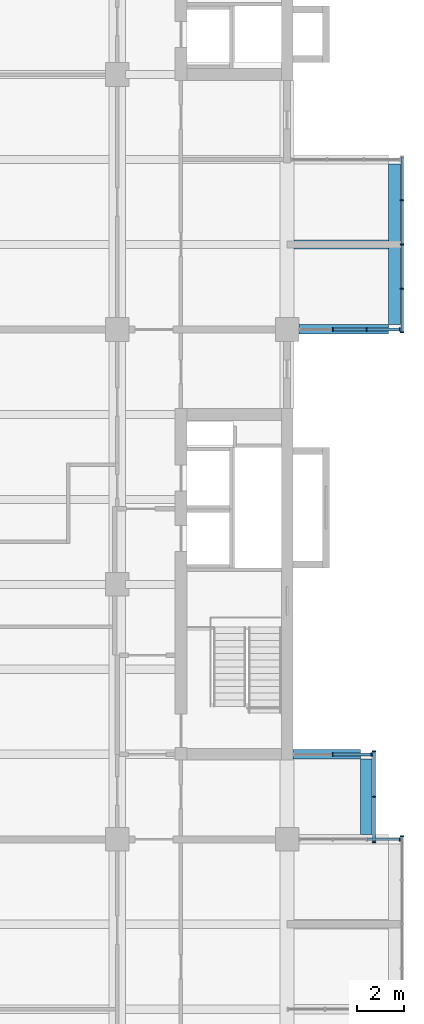
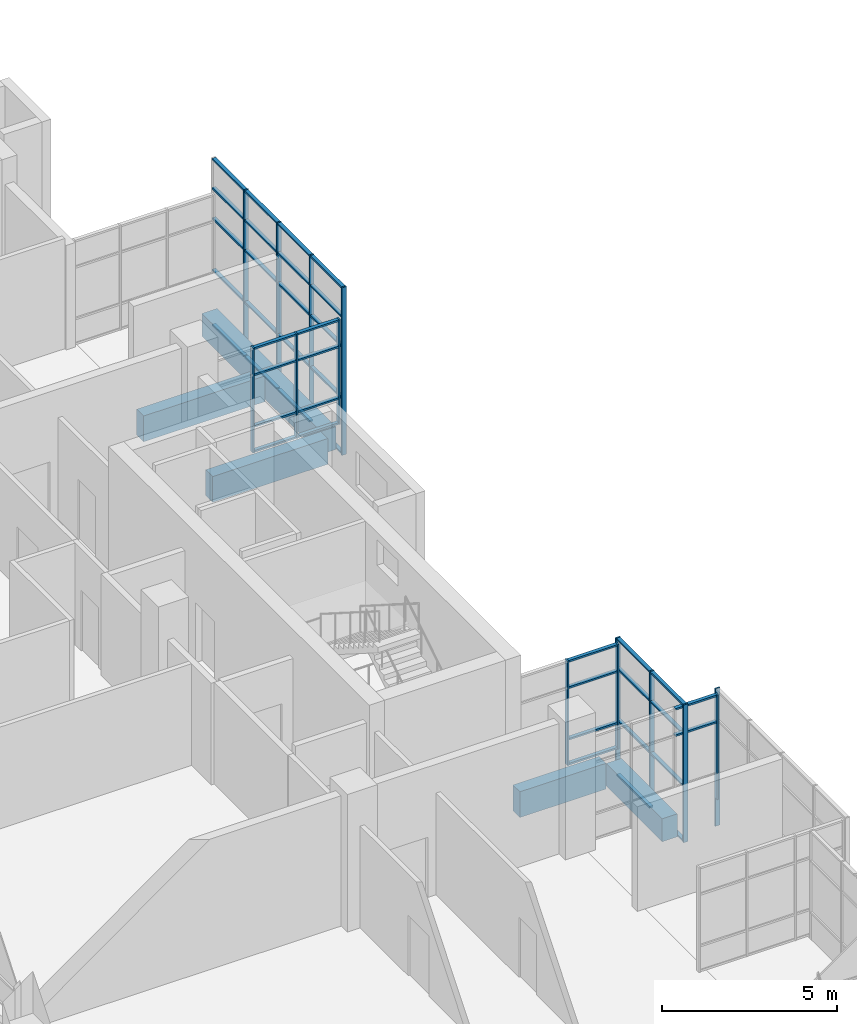
# One storey, part 17 of 35: 56 members, 6 beams, 6 elements without a shape of their own.
"""IFC4 building model written with IfcOpenShell, lengths in metres."""

from ifc_helpers import new_model, si_unit, direction, frame, origin, origin_2d, place, context, subcontext, project, spatial, rectangle, extrude, material, layer, layer_set, material_profile, profile_set, type_object, element, aggregate, save


model = new_model("IFC4")

# Units and contexts
model_context = context("Model", 3, precision=1e-05, world=origin(), true_north=direction((0.0, 1.0)))
body_context = subcontext(model_context, "Body", "Model", "MODEL_VIEW")
ifc_project = project(units=[si_unit("LENGTHUNIT", "METRE"), si_unit("AREAUNIT", "SQUARE_METRE"), si_unit("VOLUMEUNIT", "CUBIC_METRE"), si_unit("PLANEANGLEUNIT", "RADIAN"), si_unit("MASSUNIT", "GRAM", prefix="KILO")], contexts=[model_context])

# Site, building, storey
site_placement = place(None, origin())
site = spatial("IfcSite", under=ifc_project, at=site_placement, CompositionType="ELEMENT")
building_placement = place(site_placement, origin())
building = spatial("IfcBuilding", under=site, at=building_placement, Name="Basin Gate Institute", CompositionType="ELEMENT")
storey_placement = place(building_placement, frame((0.0, 0.0, 31.800048828125)))
storey = spatial("IfcBuildingStorey", under=building, at=storey_placement, Name="L06", CompositionType="ELEMENT", Elevation=31.800048828125)

# Beams
ifc_material_1 = material(Name="Concrete 50 MPa", Category="concrete")
ifc_material_profile_1 = material_profile(ifc_material_1, rectangle(XDim=0.39990234375, YDim=0.89990234375, at=origin_2d()), Name="Cantilever beam B3 400 x 900")
ifc_profile_set_1 = profile_set([ifc_material_profile_1], Name="Concrete 50 MPa")
beam_type_1 = type_object("IfcBeamType", Name="Cantilever beam B3 R120", PredefinedType="BEAM", material=ifc_profile_set_1)
beam_1_placement = place(storey_placement, frame((121.89990234375, 60.300048828125, -0.699951171875), z_axis=(-1.0, 0.0, 0.0), x_axis=(0.0, -1.0, 0.0)))
element("IfcBeam", 1, at=beam_1_placement, inside=storey, type_object=beam_type_1, material=ifc_profile_set_1, Name="BEAM/L06/E/CANT/08", PredefinedType="BEAM", context=body_context, shape_type="SweptSolid", body=[
    extrude(rectangle(XDim=0.39990234375, YDim=0.89990234375, at=origin_2d()), origin(), (0.0, 0.0, 1.0), 2.849853515625),
])
beam_2_placement = place(storey_placement, frame((123.10009765625, 78.300048828125, -0.699951171875), z_axis=(-1.0, 0.0, 0.0), x_axis=(0.0, -1.0, 0.0)))
element("IfcBeam", 2, at=beam_2_placement, inside=storey, type_object=beam_type_1, material=ifc_profile_set_1, Name="BEAM/L06/E/CANT/13", PredefinedType="BEAM", context=body_context, shape_type="SweptSolid", body=[
    extrude(rectangle(XDim=0.39990234375, YDim=0.89990234375, at=origin_2d()), origin(), (0.0, 0.0, 1.0), 3.800048828125),
])
beam_3_placement = place(storey_placement, frame((123.10009765625, 81.89990234375, -0.699951171875), z_axis=(-1.0, 0.0, 0.0), x_axis=(0.0, -1.0, 0.0)))
element("IfcBeam", 3, at=beam_3_placement, inside=storey, type_object=beam_type_1, material=ifc_profile_set_1, Name="BEAM/L06/E/CANT/14", PredefinedType="BEAM", context=body_context, shape_type="SweptSolid", body=[
    extrude(rectangle(XDim=0.39990234375, YDim=0.89990234375, at=origin_2d()), origin(), (0.0, 0.0, 1.0), 4.0),
])

# Curtain wall, member
ifc_material_2 = material(Name="Aluminium-framed glazing", Category="aluminium")
ifc_layer = layer(ifc_material_2, 0.14990234375)
ifc_layer_set = layer_set([ifc_layer], Name="Capsule front curtain wall CW1")
curtain_wall_type = type_object("IfcCurtainWallType", Name="Capsule front curtain wall CW1", PredefinedType="NOTDEFINED", material=ifc_layer_set)
curtain_wall_1_placement = place(storey_placement, origin())
curtain_wall_1 = element("IfcCurtainWall", 4, at=curtain_wall_1_placement, inside=storey, type_object=curtain_wall_type, material=ifc_layer_set, Name="Capsule front curtain wall E wing capsule end L06 line 7", PredefinedType="NOTDEFINED")
ifc_material_3 = material(Name="Aluminium", Category="aluminium")
ifc_material_profile_2 = material_profile(ifc_material_3, rectangle(XDim=0.14990234375, YDim=0.050048828125, at=origin_2d()), Name="Mullion MU1 150 x 50")
ifc_profile_set_2 = profile_set([ifc_material_profile_2], Name="Aluminium")
member_type_1 = type_object("IfcMemberType", Name="Mullion MU1", PredefinedType="MULLION", material=ifc_profile_set_2)
member_1_placement = place(storey_placement, frame((123.574951171875, 56.699951171875, 0.0), z_axis=(0.0, 0.0, 1.0), x_axis=(0.0, -1.0, 0.0)))
member_1 = element("IfcMember", 5, at=member_1_placement, type_object=member_type_1, material=ifc_profile_set_2, Name="CW1 mullion 1", PredefinedType="MULLION", context=body_context, shape_type="SweptSolid", body=[
    extrude(rectangle(XDim=0.14990234375, YDim=0.050048828125, at=origin_2d()), origin(), (0.0, 0.0, 1.0), 3.64990234375),
])

# Curtain wall, members
curtain_wall_2_placement = place(storey_placement, origin())
curtain_wall_2 = element("IfcCurtainWall", 6, at=curtain_wall_2_placement, inside=storey, type_object=curtain_wall_type, material=ifc_layer_set, Name="Capsule front curtain wall E wing capsule end L06 line 8", PredefinedType="NOTDEFINED")
member_2_placement = place(storey_placement, frame((122.375, 60.300048828125, 0.0), z_axis=(0.0, 0.0, 1.0), x_axis=(0.0, -1.0, 0.0)))
member_2 = element("IfcMember", 7, at=member_2_placement, type_object=member_type_1, material=ifc_profile_set_2, Name="CW1 mullion 1", PredefinedType="MULLION", context=body_context, shape_type="SweptSolid", body=[
    extrude(rectangle(XDim=0.14990234375, YDim=0.050048828125, at=origin_2d()), origin(), (0.0, 0.0, 1.0), 3.64990234375),
])
member_3_placement = place(storey_placement, frame((120.72509765625, 60.300048828125, 0.0), z_axis=(0.0, 0.0, 1.0), x_axis=(0.0, -1.0, 0.0)))
member_3 = element("IfcMember", 8, at=member_3_placement, type_object=member_type_1, material=ifc_profile_set_2, Name="CW1 mullion 2", PredefinedType="MULLION", context=body_context, shape_type="SweptSolid", body=[
    extrude(rectangle(XDim=0.14990234375, YDim=0.050048828125, at=origin_2d()), origin(), (0.0, 0.0, 1.0), 3.64990234375),
])

curtain_wall_3_placement = place(storey_placement, origin())
curtain_wall_3 = element("IfcCurtainWall", 9, at=curtain_wall_3_placement, inside=storey, type_object=curtain_wall_type, material=ifc_layer_set, Name="Capsule front curtain wall E wing capsule end L06 line 13", PredefinedType="NOTDEFINED")
member_4_placement = place(storey_placement, frame((123.574951171875, 78.300048828125, 0.0), z_axis=(0.0, 0.0, 1.0), x_axis=(0.0, -1.0, 0.0)))
member_4 = element("IfcMember", 10, at=member_4_placement, type_object=member_type_1, material=ifc_profile_set_2, Name="CW1 mullion 1", PredefinedType="MULLION", context=body_context, shape_type="SweptSolid", body=[
    extrude(rectangle(XDim=0.14990234375, YDim=0.050048828125, at=origin_2d()), origin(), (0.0, 0.0, 1.0), 3.64990234375),
])
member_5_placement = place(storey_placement, frame((122.166748046875, 78.300048828125, 0.0), z_axis=(0.0, 0.0, 1.0), x_axis=(0.0, -1.0, 0.0)))
member_5 = element("IfcMember", 11, at=member_5_placement, type_object=member_type_1, material=ifc_profile_set_2, Name="CW1 mullion 2", PredefinedType="MULLION", context=body_context, shape_type="SweptSolid", body=[
    extrude(rectangle(XDim=0.14990234375, YDim=0.050048828125, at=origin_2d()), origin(), (0.0, 0.0, 1.0), 3.64990234375),
])
member_6_placement = place(storey_placement, frame((120.7333984375, 78.300048828125, 0.0), z_axis=(0.0, 0.0, 1.0), x_axis=(0.0, -1.0, 0.0)))
member_6 = element("IfcMember", 12, at=member_6_placement, type_object=member_type_1, material=ifc_profile_set_2, Name="CW1 mullion 3", PredefinedType="MULLION", context=body_context, shape_type="SweptSolid", body=[
    extrude(rectangle(XDim=0.14990234375, YDim=0.050048828125, at=origin_2d()), origin(), (0.0, 0.0, 1.0), 3.64990234375),
])

# Curtain wall, member
curtain_wall_4_placement = place(storey_placement, origin())
curtain_wall_4 = element("IfcCurtainWall", 13, at=curtain_wall_4_placement, inside=storey, type_object=curtain_wall_type, material=ifc_layer_set, Name="Capsule front curtain wall E wing capsule 1 L06 front 2", PredefinedType="NOTDEFINED")
member_7_placement = place(storey_placement, frame((123.675048828125, 56.824951171875, -1.050048828125), z_axis=(0.0, 0.0, 1.0), x_axis=(-1.0, 0.0, 0.0)))
member_7 = element("IfcMember", 14, at=member_7_placement, type_object=member_type_1, material=ifc_profile_set_2, Name="CW1 mullion 5", PredefinedType="MULLION", context=body_context, shape_type="SweptSolid", body=[
    extrude(rectangle(XDim=0.14990234375, YDim=0.050048828125, at=origin_2d()), origin(), (0.0, 0.0, 1.0), 4.800048828125),
])
aggregate(curtain_wall_4, [member_7])

# Curtain wall, members
curtain_wall_5_placement = place(storey_placement, origin())
curtain_wall_5 = element("IfcCurtainWall", 15, at=curtain_wall_5_placement, inside=storey, type_object=curtain_wall_type, material=ifc_layer_set, Name="Capsule front curtain wall E wing capsule 1 L06 front 4", PredefinedType="NOTDEFINED")
member_8_placement = place(storey_placement, frame((122.47509765625, 56.574951171875, -1.050048828125), z_axis=(0.0, 0.0, 1.0), x_axis=(-1.0, 0.0, 0.0)))
member_8 = element("IfcMember", 16, at=member_8_placement, type_object=member_type_1, material=ifc_profile_set_2, Name="CW1 mullion 1", PredefinedType="MULLION", context=body_context, shape_type="SweptSolid", body=[
    extrude(rectangle(XDim=0.14990234375, YDim=0.050048828125, at=origin_2d()), origin(), (0.0, 0.0, 1.0), 4.800048828125),
])
member_9_placement = place(storey_placement, frame((122.47509765625, 58.5, -1.050048828125), z_axis=(0.0, 0.0, 1.0), x_axis=(-1.0, 0.0, 0.0)))
member_9 = element("IfcMember", 17, at=member_9_placement, type_object=member_type_1, material=ifc_profile_set_2, Name="CW1 mullion 2", PredefinedType="MULLION", context=body_context, shape_type="SweptSolid", body=[
    extrude(rectangle(XDim=0.14990234375, YDim=0.050048828125, at=origin_2d()), origin(), (0.0, 0.0, 1.0), 4.800048828125),
])
member_10_placement = place(storey_placement, frame((122.47509765625, 60.425048828125, -1.050048828125), z_axis=(0.0, 0.0, 1.0), x_axis=(-1.0, 0.0, 0.0)))
member_10 = element("IfcMember", 18, at=member_10_placement, type_object=member_type_1, material=ifc_profile_set_2, Name="CW1 mullion 3", PredefinedType="MULLION", context=body_context, shape_type="SweptSolid", body=[
    extrude(rectangle(XDim=0.14990234375, YDim=0.050048828125, at=origin_2d()), origin(), (0.0, 0.0, 1.0), 4.800048828125),
])

curtain_wall_6_placement = place(storey_placement, origin())
curtain_wall_6 = element("IfcCurtainWall", 19, at=curtain_wall_6_placement, inside=storey, type_object=curtain_wall_type, material=ifc_layer_set, Name="Capsule front curtain wall E wing capsule 2 L06 front 2", PredefinedType="NOTDEFINED")
member_11_placement = place(storey_placement, frame((123.675048828125, 78.175048828125, -1.050048828125), z_axis=(0.0, 0.0, 1.0), x_axis=(-1.0, 0.0, 0.0)))
member_11 = element("IfcMember", 20, at=member_11_placement, type_object=member_type_1, material=ifc_profile_set_2, Name="CW1 mullion 1", PredefinedType="MULLION", context=body_context, shape_type="SweptSolid", body=[
    extrude(rectangle(XDim=0.14990234375, YDim=0.050048828125, at=origin_2d()), origin(), (0.0, 0.0, 1.0), 5.85009765625),
])
member_12_placement = place(storey_placement, frame((123.675048828125, 80.02490234375, -1.050048828125), z_axis=(0.0, 0.0, 1.0), x_axis=(-1.0, 0.0, 0.0)))
member_12 = element("IfcMember", 21, at=member_12_placement, type_object=member_type_1, material=ifc_profile_set_2, Name="CW1 mullion 2", PredefinedType="MULLION", context=body_context, shape_type="SweptSolid", body=[
    extrude(rectangle(XDim=0.14990234375, YDim=0.050048828125, at=origin_2d()), origin(), (0.0, 0.0, 1.0), 5.85009765625),
])
member_13_placement = place(storey_placement, frame((123.675048828125, 81.89990234375, -1.050048828125), z_axis=(0.0, 0.0, 1.0), x_axis=(-1.0, 0.0, 0.0)))
member_13 = element("IfcMember", 22, at=member_13_placement, type_object=member_type_1, material=ifc_profile_set_2, Name="CW1 mullion 3", PredefinedType="MULLION", context=body_context, shape_type="SweptSolid", body=[
    extrude(rectangle(XDim=0.14990234375, YDim=0.050048828125, at=origin_2d()), origin(), (0.0, 0.0, 1.0), 5.85009765625),
])
member_14_placement = place(storey_placement, frame((123.675048828125, 83.77490234375, -1.050048828125), z_axis=(0.0, 0.0, 1.0), x_axis=(-1.0, 0.0, 0.0)))
member_14 = element("IfcMember", 23, at=member_14_placement, type_object=member_type_1, material=ifc_profile_set_2, Name="CW1 mullion 4", PredefinedType="MULLION", context=body_context, shape_type="SweptSolid", body=[
    extrude(rectangle(XDim=0.14990234375, YDim=0.050048828125, at=origin_2d()), origin(), (0.0, 0.0, 1.0), 5.85009765625),
])

# Beams
ifc_material_4 = material(Name="Concrete 50 MPa", Category="concrete")
ifc_material_profile_3 = material_profile(ifc_material_4, rectangle(XDim=0.5, YDim=0.800048828125, at=origin_2d()), Name="Tip beam TB1 500 x 800")
ifc_profile_set_3 = profile_set([ifc_material_profile_3], Name="Concrete 50 MPa")
beam_type_2 = type_object("IfcBeamType", Name="Tip beam TB1 R120", PredefinedType="SPANDREL", material=ifc_profile_set_3)
beam_4_placement = place(storey_placement, frame((122.14990234375, 56.89990234375, -0.650146484375), z_axis=(0.0, 1.0, 0.0), x_axis=(-1.0, 0.0, 0.0)))
element("IfcBeam", 24, at=beam_4_placement, inside=storey, type_object=beam_type_2, material=ifc_profile_set_3, Name="BEAM/L06/E/TIP/4", PredefinedType="SPANDREL", context=body_context, shape_type="SweptSolid", body=[
    extrude(rectangle(XDim=0.5, YDim=0.800048828125, at=origin_2d()), origin(), (0.0, 0.0, 1.0), 3.2001953125),
])
beam_5_placement = place(storey_placement, frame((123.35009765625, 78.5, -0.650146484375), z_axis=(0.0, 1.0, 0.0), x_axis=(-1.0, 0.0, 0.0)))
element("IfcBeam", 25, at=beam_5_placement, inside=storey, type_object=beam_type_2, material=ifc_profile_set_3, Name="BEAM/L06/E/TIP/6", PredefinedType="SPANDREL", context=body_context, shape_type="SweptSolid", body=[
    extrude(rectangle(XDim=0.5, YDim=0.800048828125, at=origin_2d()), origin(), (0.0, 0.0, 1.0), 3.39990234375),
])
beam_6_placement = place(storey_placement, frame((123.35009765625, 81.89990234375, -0.650146484375), z_axis=(0.0, 1.0, 0.0), x_axis=(-1.0, 0.0, 0.0)))
element("IfcBeam", 26, at=beam_6_placement, inside=storey, type_object=beam_type_2, material=ifc_profile_set_3, Name="BEAM/L06/E/TIP/7", PredefinedType="SPANDREL", context=body_context, shape_type="SweptSolid", body=[
    extrude(rectangle(XDim=0.5, YDim=0.800048828125, at=origin_2d()), origin(), (0.0, 0.0, 1.0), 3.400146484375),
])

# Member
ifc_material_5 = material(Name="Aluminium", Category="aluminium")
ifc_material_profile_4 = material_profile(ifc_material_5, rectangle(XDim=0.1201171875, YDim=0.06005859375, at=origin_2d()), Name="Transom TR1 120 x 60")
ifc_profile_set_4 = profile_set([ifc_material_profile_4], Name="Aluminium")
member_type_2 = type_object("IfcMemberType", Name="Transom TR1", PredefinedType="USERDEFINED", material=ifc_profile_set_4)
member_15_placement = place(storey_placement, frame((123.550048828125, 56.699951171875, 2.699951171875), z_axis=(-1.0, 0.0, 0.0), x_axis=(0.0, -1.0, 0.0)))
member_15 = element("IfcMember", 27, at=member_15_placement, type_object=member_type_2, material=ifc_profile_set_4, Name="CW1 transom 1.3", ObjectType="TRANSOM", PredefinedType="USERDEFINED", context=body_context, shape_type="SweptSolid", body=[
    extrude(rectangle(XDim=0.1201171875, YDim=0.06005859375, at=origin_2d()), origin(), (0.0, 0.0, 1.0), 1.3583984375),
])

member_16_placement = place(storey_placement, frame((123.550048828125, 56.699951171875, 3.619873046875), z_axis=(-1.0, 0.0, 0.0), x_axis=(0.0, -1.0, 0.0)))
member_16 = element("IfcMember", 28, at=member_16_placement, type_object=member_type_2, material=ifc_profile_set_4, Name="CW1 transom 1.4", ObjectType="TRANSOM", PredefinedType="USERDEFINED", context=body_context, shape_type="SweptSolid", body=[
    extrude(rectangle(XDim=0.1201171875, YDim=0.06005859375, at=origin_2d()), origin(), (0.0, 0.0, 1.0), 1.3583984375),
])

aggregate(curtain_wall_1, [member_1, member_15, member_16])

member_17_placement = place(storey_placement, frame((122.35009765625, 60.300048828125, 0.030029296875), z_axis=(-1.0, 0.0, 0.0), x_axis=(0.0, -1.0, 0.0)))
member_17 = element("IfcMember", 29, at=member_17_placement, type_object=member_type_2, material=ifc_profile_set_4, Name="CW1 transom 1.1", ObjectType="TRANSOM", PredefinedType="USERDEFINED", context=body_context, shape_type="SweptSolid", body=[
    extrude(rectangle(XDim=0.1201171875, YDim=0.06005859375, at=origin_2d()), origin(), (0.0, 0.0, 1.0), 1.60009765625),
])

member_18_placement = place(storey_placement, frame((122.35009765625, 60.300048828125, 0.89990234375), z_axis=(-1.0, 0.0, 0.0), x_axis=(0.0, -1.0, 0.0)))
member_18 = element("IfcMember", 30, at=member_18_placement, type_object=member_type_2, material=ifc_profile_set_4, Name="CW1 transom 1.2", ObjectType="TRANSOM", PredefinedType="USERDEFINED", context=body_context, shape_type="SweptSolid", body=[
    extrude(rectangle(XDim=0.1201171875, YDim=0.06005859375, at=origin_2d()), origin(), (0.0, 0.0, 1.0), 1.60009765625),
])

member_19_placement = place(storey_placement, frame((122.35009765625, 60.300048828125, 2.699951171875), z_axis=(-1.0, 0.0, 0.0), x_axis=(0.0, -1.0, 0.0)))
member_19 = element("IfcMember", 31, at=member_19_placement, type_object=member_type_2, material=ifc_profile_set_4, Name="CW1 transom 1.3", ObjectType="TRANSOM", PredefinedType="USERDEFINED", context=body_context, shape_type="SweptSolid", body=[
    extrude(rectangle(XDim=0.1201171875, YDim=0.06005859375, at=origin_2d()), origin(), (0.0, 0.0, 1.0), 1.60009765625),
])

member_20_placement = place(storey_placement, frame((122.35009765625, 60.300048828125, 3.619873046875), z_axis=(-1.0, 0.0, 0.0), x_axis=(0.0, -1.0, 0.0)))
member_20 = element("IfcMember", 32, at=member_20_placement, type_object=member_type_2, material=ifc_profile_set_4, Name="CW1 transom 1.4", ObjectType="TRANSOM", PredefinedType="USERDEFINED", context=body_context, shape_type="SweptSolid", body=[
    extrude(rectangle(XDim=0.1201171875, YDim=0.06005859375, at=origin_2d()), origin(), (0.0, 0.0, 1.0), 1.60009765625),
])

aggregate(curtain_wall_2, [member_2, member_3, member_17, member_18, member_19, member_20])

member_21_placement = place(storey_placement, frame((123.550048828125, 78.300048828125, 0.030029296875), z_axis=(-1.0, 0.0, 0.0), x_axis=(0.0, -1.0, 0.0)))
member_21 = element("IfcMember", 33, at=member_21_placement, type_object=member_type_2, material=ifc_profile_set_4, Name="CW1 transom 1.1", ObjectType="TRANSOM", PredefinedType="USERDEFINED", context=body_context, shape_type="SweptSolid", body=[
    extrude(rectangle(XDim=0.1201171875, YDim=0.06005859375, at=origin_2d()), origin(), (0.0, 0.0, 1.0), 1.3583984375),
])

member_22_placement = place(storey_placement, frame((123.550048828125, 78.300048828125, 0.89990234375), z_axis=(-1.0, 0.0, 0.0), x_axis=(0.0, -1.0, 0.0)))
member_22 = element("IfcMember", 34, at=member_22_placement, type_object=member_type_2, material=ifc_profile_set_4, Name="CW1 transom 1.2", ObjectType="TRANSOM", PredefinedType="USERDEFINED", context=body_context, shape_type="SweptSolid", body=[
    extrude(rectangle(XDim=0.1201171875, YDim=0.06005859375, at=origin_2d()), origin(), (0.0, 0.0, 1.0), 1.3583984375),
])

member_23_placement = place(storey_placement, frame((123.550048828125, 78.300048828125, 2.699951171875), z_axis=(-1.0, 0.0, 0.0), x_axis=(0.0, -1.0, 0.0)))
member_23 = element("IfcMember", 35, at=member_23_placement, type_object=member_type_2, material=ifc_profile_set_4, Name="CW1 transom 1.3", ObjectType="TRANSOM", PredefinedType="USERDEFINED", context=body_context, shape_type="SweptSolid", body=[
    extrude(rectangle(XDim=0.1201171875, YDim=0.06005859375, at=origin_2d()), origin(), (0.0, 0.0, 1.0), 1.3583984375),
])

member_24_placement = place(storey_placement, frame((123.550048828125, 78.300048828125, 3.619873046875), z_axis=(-1.0, 0.0, 0.0), x_axis=(0.0, -1.0, 0.0)))
member_24 = element("IfcMember", 36, at=member_24_placement, type_object=member_type_2, material=ifc_profile_set_4, Name="CW1 transom 1.4", ObjectType="TRANSOM", PredefinedType="USERDEFINED", context=body_context, shape_type="SweptSolid", body=[
    extrude(rectangle(XDim=0.1201171875, YDim=0.06005859375, at=origin_2d()), origin(), (0.0, 0.0, 1.0), 1.3583984375),
])

member_25_placement = place(storey_placement, frame((122.1416015625, 78.300048828125, 0.030029296875), z_axis=(-1.0, 0.0, 0.0), x_axis=(0.0, -1.0, 0.0)))
member_25 = element("IfcMember", 37, at=member_25_placement, type_object=member_type_2, material=ifc_profile_set_4, Name="CW1 transom 2.1", ObjectType="TRANSOM", PredefinedType="USERDEFINED", context=body_context, shape_type="SweptSolid", body=[
    extrude(rectangle(XDim=0.1201171875, YDim=0.06005859375, at=origin_2d()), origin(), (0.0, 0.0, 1.0), 1.38330078125),
])

member_26_placement = place(storey_placement, frame((122.1416015625, 78.300048828125, 0.89990234375), z_axis=(-1.0, 0.0, 0.0), x_axis=(0.0, -1.0, 0.0)))
member_26 = element("IfcMember", 38, at=member_26_placement, type_object=member_type_2, material=ifc_profile_set_4, Name="CW1 transom 2.2", ObjectType="TRANSOM", PredefinedType="USERDEFINED", context=body_context, shape_type="SweptSolid", body=[
    extrude(rectangle(XDim=0.1201171875, YDim=0.06005859375, at=origin_2d()), origin(), (0.0, 0.0, 1.0), 1.38330078125),
])

member_27_placement = place(storey_placement, frame((122.1416015625, 78.300048828125, 2.699951171875), z_axis=(-1.0, 0.0, 0.0), x_axis=(0.0, -1.0, 0.0)))
member_27 = element("IfcMember", 39, at=member_27_placement, type_object=member_type_2, material=ifc_profile_set_4, Name="CW1 transom 2.3", ObjectType="TRANSOM", PredefinedType="USERDEFINED", context=body_context, shape_type="SweptSolid", body=[
    extrude(rectangle(XDim=0.1201171875, YDim=0.06005859375, at=origin_2d()), origin(), (0.0, 0.0, 1.0), 1.38330078125),
])

member_28_placement = place(storey_placement, frame((122.1416015625, 78.300048828125, 3.619873046875), z_axis=(-1.0, 0.0, 0.0), x_axis=(0.0, -1.0, 0.0)))
member_28 = element("IfcMember", 40, at=member_28_placement, type_object=member_type_2, material=ifc_profile_set_4, Name="CW1 transom 2.4", ObjectType="TRANSOM", PredefinedType="USERDEFINED", context=body_context, shape_type="SweptSolid", body=[
    extrude(rectangle(XDim=0.1201171875, YDim=0.06005859375, at=origin_2d()), origin(), (0.0, 0.0, 1.0), 1.38330078125),
])

aggregate(curtain_wall_3, [member_4, member_5, member_6, member_21, member_22, member_23, member_24, member_25, member_26, member_27, member_28])

member_29_placement = place(storey_placement, frame((122.47509765625, 56.60009765625, -1.02001953125), z_axis=(0.0, 1.0, 0.0), x_axis=(-1.0, 0.0, 0.0)))
member_29 = element("IfcMember", 41, at=member_29_placement, type_object=member_type_2, material=ifc_profile_set_4, Name="CW1 transom 1.1", ObjectType="TRANSOM", PredefinedType="USERDEFINED", context=body_context, shape_type="SweptSolid", body=[
    extrude(rectangle(XDim=0.1201171875, YDim=0.06005859375, at=origin_2d()), origin(), (0.0, 0.0, 1.0), 1.875),
])

member_30_placement = place(storey_placement, frame((122.47509765625, 56.60009765625, 0.89990234375), z_axis=(0.0, 1.0, 0.0), x_axis=(-1.0, 0.0, 0.0)))
member_30 = element("IfcMember", 42, at=member_30_placement, type_object=member_type_2, material=ifc_profile_set_4, Name="CW1 transom 1.2", ObjectType="TRANSOM", PredefinedType="USERDEFINED", context=body_context, shape_type="SweptSolid", body=[
    extrude(rectangle(XDim=0.1201171875, YDim=0.06005859375, at=origin_2d()), origin(), (0.0, 0.0, 1.0), 1.875),
])

member_31_placement = place(storey_placement, frame((122.47509765625, 56.60009765625, 2.699951171875), z_axis=(0.0, 1.0, 0.0), x_axis=(-1.0, 0.0, 0.0)))
member_31 = element("IfcMember", 43, at=member_31_placement, type_object=member_type_2, material=ifc_profile_set_4, Name="CW1 transom 1.3", ObjectType="TRANSOM", PredefinedType="USERDEFINED", context=body_context, shape_type="SweptSolid", body=[
    extrude(rectangle(XDim=0.1201171875, YDim=0.06005859375, at=origin_2d()), origin(), (0.0, 0.0, 1.0), 1.875),
])

member_32_placement = place(storey_placement, frame((122.47509765625, 56.60009765625, 3.719970703125), z_axis=(0.0, 1.0, 0.0), x_axis=(-1.0, 0.0, 0.0)))
member_32 = element("IfcMember", 44, at=member_32_placement, type_object=member_type_2, material=ifc_profile_set_4, Name="CW1 transom 1.4", ObjectType="TRANSOM", PredefinedType="USERDEFINED", context=body_context, shape_type="SweptSolid", body=[
    extrude(rectangle(XDim=0.1201171875, YDim=0.06005859375, at=origin_2d()), origin(), (0.0, 0.0, 1.0), 1.875),
])

member_33_placement = place(storey_placement, frame((122.47509765625, 58.52490234375, -1.02001953125), z_axis=(0.0, 1.0, 0.0), x_axis=(-1.0, 0.0, 0.0)))
member_33 = element("IfcMember", 45, at=member_33_placement, type_object=member_type_2, material=ifc_profile_set_4, Name="CW1 transom 2.1", ObjectType="TRANSOM", PredefinedType="USERDEFINED", context=body_context, shape_type="SweptSolid", body=[
    extrude(rectangle(XDim=0.1201171875, YDim=0.06005859375, at=origin_2d()), origin(), (0.0, 0.0, 1.0), 1.875),
])

member_34_placement = place(storey_placement, frame((122.47509765625, 58.52490234375, 0.89990234375), z_axis=(0.0, 1.0, 0.0), x_axis=(-1.0, 0.0, 0.0)))
member_34 = element("IfcMember", 46, at=member_34_placement, type_object=member_type_2, material=ifc_profile_set_4, Name="CW1 transom 2.2", ObjectType="TRANSOM", PredefinedType="USERDEFINED", context=body_context, shape_type="SweptSolid", body=[
    extrude(rectangle(XDim=0.1201171875, YDim=0.06005859375, at=origin_2d()), origin(), (0.0, 0.0, 1.0), 1.875),
])

member_35_placement = place(storey_placement, frame((122.47509765625, 58.52490234375, 2.699951171875), z_axis=(0.0, 1.0, 0.0), x_axis=(-1.0, 0.0, 0.0)))
member_35 = element("IfcMember", 47, at=member_35_placement, type_object=member_type_2, material=ifc_profile_set_4, Name="CW1 transom 2.3", ObjectType="TRANSOM", PredefinedType="USERDEFINED", context=body_context, shape_type="SweptSolid", body=[
    extrude(rectangle(XDim=0.1201171875, YDim=0.06005859375, at=origin_2d()), origin(), (0.0, 0.0, 1.0), 1.875),
])

member_36_placement = place(storey_placement, frame((122.47509765625, 58.52490234375, 3.719970703125), z_axis=(0.0, 1.0, 0.0), x_axis=(-1.0, 0.0, 0.0)))
member_36 = element("IfcMember", 48, at=member_36_placement, type_object=member_type_2, material=ifc_profile_set_4, Name="CW1 transom 2.4", ObjectType="TRANSOM", PredefinedType="USERDEFINED", context=body_context, shape_type="SweptSolid", body=[
    extrude(rectangle(XDim=0.1201171875, YDim=0.06005859375, at=origin_2d()), origin(), (0.0, 0.0, 1.0), 1.875),
])

aggregate(curtain_wall_5, [member_8, member_9, member_10, member_29, member_30, member_31, member_32, member_33, member_34, member_35, member_36])

member_37_placement = place(storey_placement, frame((123.675048828125, 78.199951171875, -1.02001953125), z_axis=(0.0, 1.0, 0.0), x_axis=(-1.0, 0.0, 0.0)))
member_37 = element("IfcMember", 49, at=member_37_placement, type_object=member_type_2, material=ifc_profile_set_4, Name="CW1 transom 1.1", ObjectType="TRANSOM", PredefinedType="USERDEFINED", context=body_context, shape_type="SweptSolid", body=[
    extrude(rectangle(XDim=0.1201171875, YDim=0.06005859375, at=origin_2d()), origin(), (0.0, 0.0, 1.0), 1.800048828125),
])

member_38_placement = place(storey_placement, frame((123.675048828125, 78.199951171875, 0.89990234375), z_axis=(0.0, 1.0, 0.0), x_axis=(-1.0, 0.0, 0.0)))
member_38 = element("IfcMember", 50, at=member_38_placement, type_object=member_type_2, material=ifc_profile_set_4, Name="CW1 transom 1.2", ObjectType="TRANSOM", PredefinedType="USERDEFINED", context=body_context, shape_type="SweptSolid", body=[
    extrude(rectangle(XDim=0.1201171875, YDim=0.06005859375, at=origin_2d()), origin(), (0.0, 0.0, 1.0), 1.800048828125),
])

member_39_placement = place(storey_placement, frame((123.675048828125, 78.199951171875, 2.699951171875), z_axis=(0.0, 1.0, 0.0), x_axis=(-1.0, 0.0, 0.0)))
member_39 = element("IfcMember", 51, at=member_39_placement, type_object=member_type_2, material=ifc_profile_set_4, Name="CW1 transom 1.3", ObjectType="TRANSOM", PredefinedType="USERDEFINED", context=body_context, shape_type="SweptSolid", body=[
    extrude(rectangle(XDim=0.1201171875, YDim=0.06005859375, at=origin_2d()), origin(), (0.0, 0.0, 1.0), 1.800048828125),
])

member_40_placement = place(storey_placement, frame((123.675048828125, 78.199951171875, 3.75), z_axis=(0.0, 1.0, 0.0), x_axis=(-1.0, 0.0, 0.0)))
member_40 = element("IfcMember", 52, at=member_40_placement, type_object=member_type_2, material=ifc_profile_set_4, Name="CW1 transom 1.4", ObjectType="TRANSOM", PredefinedType="USERDEFINED", context=body_context, shape_type="SweptSolid", body=[
    extrude(rectangle(XDim=0.1201171875, YDim=0.06005859375, at=origin_2d()), origin(), (0.0, 0.0, 1.0), 1.800048828125),
])

member_41_placement = place(storey_placement, frame((123.675048828125, 78.199951171875, 4.77001953125), z_axis=(0.0, 1.0, 0.0), x_axis=(-1.0, 0.0, 0.0)))
member_41 = element("IfcMember", 53, at=member_41_placement, type_object=member_type_2, material=ifc_profile_set_4, Name="CW1 transom 1.5", ObjectType="TRANSOM", PredefinedType="USERDEFINED", context=body_context, shape_type="SweptSolid", body=[
    extrude(rectangle(XDim=0.1201171875, YDim=0.06005859375, at=origin_2d()), origin(), (0.0, 0.0, 1.0), 1.800048828125),
])

member_42_placement = place(storey_placement, frame((123.675048828125, 80.050048828125, -1.02001953125), z_axis=(0.0, 1.0, 0.0), x_axis=(-1.0, 0.0, 0.0)))
member_42 = element("IfcMember", 54, at=member_42_placement, type_object=member_type_2, material=ifc_profile_set_4, Name="CW1 transom 2.1", ObjectType="TRANSOM", PredefinedType="USERDEFINED", context=body_context, shape_type="SweptSolid", body=[
    extrude(rectangle(XDim=0.1201171875, YDim=0.06005859375, at=origin_2d()), origin(), (0.0, 0.0, 1.0), 1.824951171875),
])

member_43_placement = place(storey_placement, frame((123.675048828125, 80.050048828125, 0.89990234375), z_axis=(0.0, 1.0, 0.0), x_axis=(-1.0, 0.0, 0.0)))
member_43 = element("IfcMember", 55, at=member_43_placement, type_object=member_type_2, material=ifc_profile_set_4, Name="CW1 transom 2.2", ObjectType="TRANSOM", PredefinedType="USERDEFINED", context=body_context, shape_type="SweptSolid", body=[
    extrude(rectangle(XDim=0.1201171875, YDim=0.06005859375, at=origin_2d()), origin(), (0.0, 0.0, 1.0), 1.824951171875),
])

member_44_placement = place(storey_placement, frame((123.675048828125, 80.050048828125, 2.699951171875), z_axis=(0.0, 1.0, 0.0), x_axis=(-1.0, 0.0, 0.0)))
member_44 = element("IfcMember", 56, at=member_44_placement, type_object=member_type_2, material=ifc_profile_set_4, Name="CW1 transom 2.3", ObjectType="TRANSOM", PredefinedType="USERDEFINED", context=body_context, shape_type="SweptSolid", body=[
    extrude(rectangle(XDim=0.1201171875, YDim=0.06005859375, at=origin_2d()), origin(), (0.0, 0.0, 1.0), 1.824951171875),
])

member_45_placement = place(storey_placement, frame((123.675048828125, 80.050048828125, 3.75), z_axis=(0.0, 1.0, 0.0), x_axis=(-1.0, 0.0, 0.0)))
member_45 = element("IfcMember", 57, at=member_45_placement, type_object=member_type_2, material=ifc_profile_set_4, Name="CW1 transom 2.4", ObjectType="TRANSOM", PredefinedType="USERDEFINED", context=body_context, shape_type="SweptSolid", body=[
    extrude(rectangle(XDim=0.1201171875, YDim=0.06005859375, at=origin_2d()), origin(), (0.0, 0.0, 1.0), 1.824951171875),
])

member_46_placement = place(storey_placement, frame((123.675048828125, 80.050048828125, 4.77001953125), z_axis=(0.0, 1.0, 0.0), x_axis=(-1.0, 0.0, 0.0)))
member_46 = element("IfcMember", 58, at=member_46_placement, type_object=member_type_2, material=ifc_profile_set_4, Name="CW1 transom 2.5", ObjectType="TRANSOM", PredefinedType="USERDEFINED", context=body_context, shape_type="SweptSolid", body=[
    extrude(rectangle(XDim=0.1201171875, YDim=0.06005859375, at=origin_2d()), origin(), (0.0, 0.0, 1.0), 1.824951171875),
])

member_47_placement = place(storey_placement, frame((123.675048828125, 81.925048828125, -1.02001953125), z_axis=(0.0, 1.0, 0.0), x_axis=(-1.0, 0.0, 0.0)))
member_47 = element("IfcMember", 59, at=member_47_placement, type_object=member_type_2, material=ifc_profile_set_4, Name="CW1 transom 3.1", ObjectType="TRANSOM", PredefinedType="USERDEFINED", context=body_context, shape_type="SweptSolid", body=[
    extrude(rectangle(XDim=0.1201171875, YDim=0.06005859375, at=origin_2d()), origin(), (0.0, 0.0, 1.0), 1.824951171875),
])

member_48_placement = place(storey_placement, frame((123.675048828125, 81.925048828125, 0.89990234375), z_axis=(0.0, 1.0, 0.0), x_axis=(-1.0, 0.0, 0.0)))
member_48 = element("IfcMember", 60, at=member_48_placement, type_object=member_type_2, material=ifc_profile_set_4, Name="CW1 transom 3.2", ObjectType="TRANSOM", PredefinedType="USERDEFINED", context=body_context, shape_type="SweptSolid", body=[
    extrude(rectangle(XDim=0.1201171875, YDim=0.06005859375, at=origin_2d()), origin(), (0.0, 0.0, 1.0), 1.824951171875),
])

member_49_placement = place(storey_placement, frame((123.675048828125, 81.925048828125, 2.699951171875), z_axis=(0.0, 1.0, 0.0), x_axis=(-1.0, 0.0, 0.0)))
member_49 = element("IfcMember", 61, at=member_49_placement, type_object=member_type_2, material=ifc_profile_set_4, Name="CW1 transom 3.3", ObjectType="TRANSOM", PredefinedType="USERDEFINED", context=body_context, shape_type="SweptSolid", body=[
    extrude(rectangle(XDim=0.1201171875, YDim=0.06005859375, at=origin_2d()), origin(), (0.0, 0.0, 1.0), 1.824951171875),
])

member_50_placement = place(storey_placement, frame((123.675048828125, 81.925048828125, 3.75), z_axis=(0.0, 1.0, 0.0), x_axis=(-1.0, 0.0, 0.0)))
member_50 = element("IfcMember", 62, at=member_50_placement, type_object=member_type_2, material=ifc_profile_set_4, Name="CW1 transom 3.4", ObjectType="TRANSOM", PredefinedType="USERDEFINED", context=body_context, shape_type="SweptSolid", body=[
    extrude(rectangle(XDim=0.1201171875, YDim=0.06005859375, at=origin_2d()), origin(), (0.0, 0.0, 1.0), 1.824951171875),
])

member_51_placement = place(storey_placement, frame((123.675048828125, 81.925048828125, 4.77001953125), z_axis=(0.0, 1.0, 0.0), x_axis=(-1.0, 0.0, 0.0)))
member_51 = element("IfcMember", 63, at=member_51_placement, type_object=member_type_2, material=ifc_profile_set_4, Name="CW1 transom 3.5", ObjectType="TRANSOM", PredefinedType="USERDEFINED", context=body_context, shape_type="SweptSolid", body=[
    extrude(rectangle(XDim=0.1201171875, YDim=0.06005859375, at=origin_2d()), origin(), (0.0, 0.0, 1.0), 1.824951171875),
])

member_52_placement = place(storey_placement, frame((123.675048828125, 83.800048828125, -1.02001953125), z_axis=(0.0, 1.0, 0.0), x_axis=(-1.0, 0.0, 0.0)))
member_52 = element("IfcMember", 64, at=member_52_placement, type_object=member_type_2, material=ifc_profile_set_4, Name="CW1 transom 4.1", ObjectType="TRANSOM", PredefinedType="USERDEFINED", context=body_context, shape_type="SweptSolid", body=[
    extrude(rectangle(XDim=0.1201171875, YDim=0.06005859375, at=origin_2d()), origin(), (0.0, 0.0, 1.0), 1.800048828125),
])

member_53_placement = place(storey_placement, frame((123.675048828125, 83.800048828125, 0.89990234375), z_axis=(0.0, 1.0, 0.0), x_axis=(-1.0, 0.0, 0.0)))
member_53 = element("IfcMember", 65, at=member_53_placement, type_object=member_type_2, material=ifc_profile_set_4, Name="CW1 transom 4.2", ObjectType="TRANSOM", PredefinedType="USERDEFINED", context=body_context, shape_type="SweptSolid", body=[
    extrude(rectangle(XDim=0.1201171875, YDim=0.06005859375, at=origin_2d()), origin(), (0.0, 0.0, 1.0), 1.800048828125),
])

member_54_placement = place(storey_placement, frame((123.675048828125, 83.800048828125, 2.699951171875), z_axis=(0.0, 1.0, 0.0), x_axis=(-1.0, 0.0, 0.0)))
member_54 = element("IfcMember", 66, at=member_54_placement, type_object=member_type_2, material=ifc_profile_set_4, Name="CW1 transom 4.3", ObjectType="TRANSOM", PredefinedType="USERDEFINED", context=body_context, shape_type="SweptSolid", body=[
    extrude(rectangle(XDim=0.1201171875, YDim=0.06005859375, at=origin_2d()), origin(), (0.0, 0.0, 1.0), 1.800048828125),
])

member_55_placement = place(storey_placement, frame((123.675048828125, 83.800048828125, 3.75), z_axis=(0.0, 1.0, 0.0), x_axis=(-1.0, 0.0, 0.0)))
member_55 = element("IfcMember", 67, at=member_55_placement, type_object=member_type_2, material=ifc_profile_set_4, Name="CW1 transom 4.4", ObjectType="TRANSOM", PredefinedType="USERDEFINED", context=body_context, shape_type="SweptSolid", body=[
    extrude(rectangle(XDim=0.1201171875, YDim=0.06005859375, at=origin_2d()), origin(), (0.0, 0.0, 1.0), 1.800048828125),
])

member_56_placement = place(storey_placement, frame((123.675048828125, 83.800048828125, 4.77001953125), z_axis=(0.0, 1.0, 0.0), x_axis=(-1.0, 0.0, 0.0)))
member_56 = element("IfcMember", 68, at=member_56_placement, type_object=member_type_2, material=ifc_profile_set_4, Name="CW1 transom 4.5", ObjectType="TRANSOM", PredefinedType="USERDEFINED", context=body_context, shape_type="SweptSolid", body=[
    extrude(rectangle(XDim=0.1201171875, YDim=0.06005859375, at=origin_2d()), origin(), (0.0, 0.0, 1.0), 1.800048828125),
])

aggregate(curtain_wall_6, [member_11, member_12, member_13, member_14, member_37, member_38, member_39, member_40, member_41, member_42, member_43, member_44, member_45, member_46, member_47, member_48, member_49, member_50, member_51, member_52, member_53, member_54, member_55, member_56])

save(model, "model.ifc")
